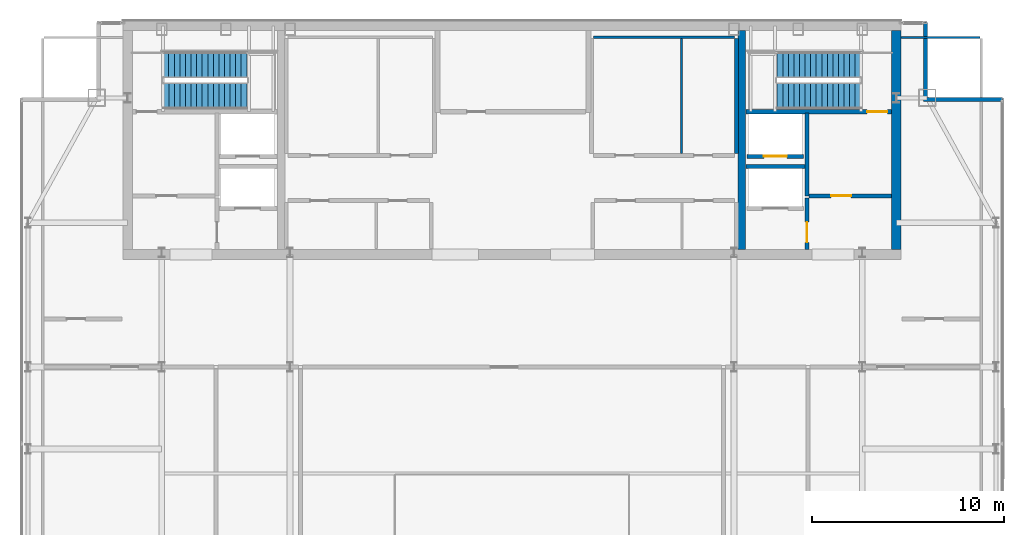
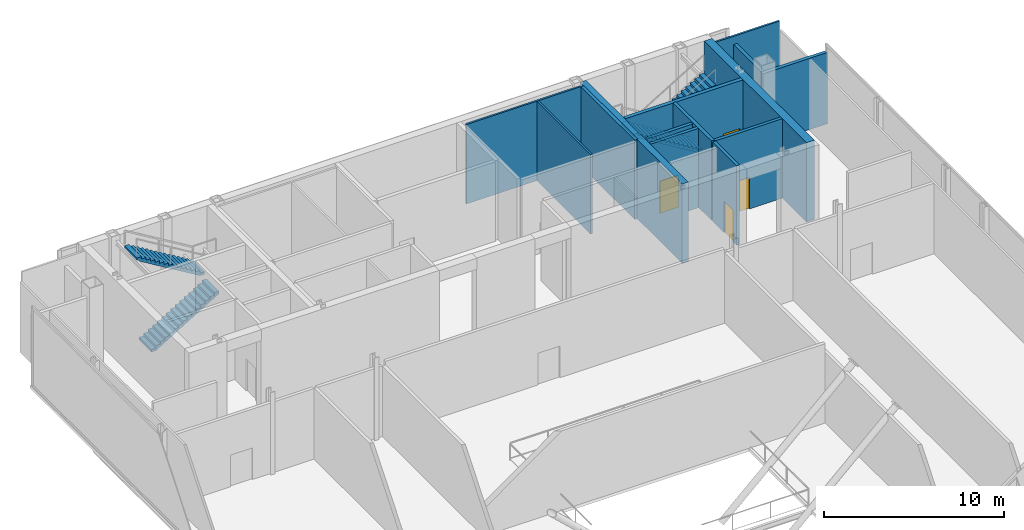
# One storey, part 21 of 23: 14 walls, 4 doors, 4 stair flights, 4 openings, 2 elements without a shape of their own.
"""IFC4 building model written with IfcOpenShell, lengths in metres."""

from ifc_helpers import new_model, si_unit, direction, frame, frame_2d, origin, place, context, subcontext, project, spatial, polyline, rectangle, outline, extrude, material, layer, layer_set, type_object, element, fill, aggregate, save


model = new_model("IFC4")

# Units and contexts
model_context = context("Model", 3, precision=1e-05, world=origin(), true_north=direction((0.0, 1.0)))
body_context = subcontext(model_context, "Body", "Model", "MODEL_VIEW")
ifc_project = project(units=[si_unit("LENGTHUNIT", "METRE"), si_unit("AREAUNIT", "SQUARE_METRE"), si_unit("VOLUMEUNIT", "CUBIC_METRE"), si_unit("PLANEANGLEUNIT", "RADIAN"), si_unit("MASSUNIT", "GRAM", prefix="KILO")], contexts=[model_context])

# Site, building, storey
site_placement = place(None, origin())
site = spatial("IfcSite", under=ifc_project, at=site_placement, CompositionType="ELEMENT")
building_placement = place(site_placement, origin())
building = spatial("IfcBuilding", under=site, at=building_placement, Name="Khoronbel Lancet Exchange", CompositionType="ELEMENT")
storey_placement = place(building_placement, frame((0.0, 0.0, 356.199951171875)))
storey = spatial("IfcBuildingStorey", under=building, at=storey_placement, Name="L92", CompositionType="ELEMENT", Elevation=356.199951171875)

# Walls
ifc_material_1 = material(Name="Concrete C60/75", Category="concrete")
ifc_layer_1 = layer(ifc_material_1, 0.5, Name="Concrete C60/75")
ifc_layer_set_1 = layer_set([ifc_layer_1], Name="Concrete C60/75")
wall_type_1 = type_object("IfcWallType", Name="WL-CW4", PredefinedType="SHEAR", material=ifc_layer_set_1)
wall_1_placement = place(storey_placement, frame((56.449951171875, 53.199951171875, 0.0), z_axis=(0.0, 0.0, 1.0), x_axis=(0.0, -1.0, 0.0)))
element("IfcWall", 1, at=wall_1_placement, inside=storey, type_object=wall_type_1, Name="Level L92 rear core east shear wall", PredefinedType="SHEAR", context=body_context, shape_type="SweptSolid", body=[
    extrude(rectangle(XDim=11.39990234375, YDim=0.5, at=frame_2d((5.699951171875, 0.0))), origin(), (0.0, 0.0, 1.0), 5.400146484375),
])
ifc_material_2 = material(Name="Precast concrete C40/50", Category="concrete")
ifc_layer_2 = layer(ifc_material_2, 0.25, Name="Precast concrete C40/50")
ifc_layer_set_2 = layer_set([ifc_layer_2], Name="Precast concrete C40/50")
wall_type_2 = type_object("IfcWallType", Name="WL-EXT250", PredefinedType="SOLIDWALL", material=ifc_layer_set_2)
wall_2_placement = place(storey_placement, frame((57.9599609375, 53.6298828125, 0.0), z_axis=(0.0, 0.0, 1.0), x_axis=(0.0, -1.0, 0.0)))
element("IfcWall", 2, at=wall_2_placement, inside=storey, type_object=wall_type_2, Name="Level L92 notched-corner limestone pier 07", PredefinedType="SOLIDWALL", context=body_context, shape_type="SweptSolid", body=[
    extrude(rectangle(XDim=3.909912109375, YDim=0.219970703125, at=frame_2d((1.955078125, 0.0))), origin(), (0.0, 0.0, 1.0), 4.840087890625),
])
wall_3_placement = place(storey_placement, frame((57.85009765625, 49.610107421875, 0.0), z_axis=(0.0, 0.0, 1.0), x_axis=(1.0, 0.0, 0.0)))
element("IfcWall", 3, at=wall_3_placement, inside=storey, type_object=wall_type_2, Name="Level L92 notched-corner limestone pier 08", PredefinedType="SOLIDWALL", context=body_context, shape_type="SweptSolid", body=[
    extrude(rectangle(XDim=4.1298828125, YDim=0.219970703125, at=frame_2d((2.06494140625, 0.0))), origin(), (0.0, 0.0, 1.0), 4.840087890625),
])
ifc_material_3 = material(Name="Acoustic Metal-Stud & Mineral-Wool Gypsum Partition 120 mm", Category="gypsum")
ifc_layer_3 = layer(ifc_material_3, 0.1201171875, Name="Acoustic Metal-Stud & Mineral-Wool Gypsum Partition 120 mm")
ifc_layer_set_3 = layer_set([ifc_layer_3], Name="Acoustic Metal-Stud & Mineral-Wool Gypsum Partition 120 mm")
wall_type_3 = type_object("IfcWallType", Name="WL-PRT120", PredefinedType="PARTITIONING", material=ifc_layer_set_3)
wall_4_placement = place(storey_placement, frame((56.699951171875, 52.840087890625, 0.0), z_axis=(0.0, 0.0, 1.0), x_axis=(1.0, 0.0, 0.0)))
element("IfcWall", 4, at=wall_4_placement, inside=storey, type_object=wall_type_3, Name="Level L92 interior partition PW-LIN-NE", PredefinedType="PARTITIONING", context=body_context, shape_type="SweptSolid", body=[
    extrude(rectangle(XDim=4.10498046875, YDim=0.1201171875, at=frame_2d((2.052490234375, 0.0))), origin(), (0.0, 0.0, 1.0), 5.400146484375),
])
ifc_material_4 = material(Name="Fire-Rated Metal-Stud & Mineral-Wool Gypsum Partition 120 mm", Category="gypsum")
ifc_layer_4 = layer(ifc_material_4, 0.1201171875, Name="Fire-Rated Metal-Stud & Mineral-Wool Gypsum Partition 120 mm")
ifc_layer_set_4 = layer_set([ifc_layer_4], Name="Fire-Rated Metal-Stud & Mineral-Wool Gypsum Partition 120 mm")
wall_type_4 = type_object("IfcWallType", Name="WL-PRT120F", PredefinedType="PARTITIONING", material=ifc_layer_set_4)
wall_5_placement = place(storey_placement, frame((40.68505859375, 52.860107421875, 0.0), z_axis=(0.0, 0.0, 1.0), x_axis=(1.0, 0.0, 0.0)))
element("IfcWall", 5, at=wall_5_placement, inside=storey, type_object=wall_type_4, Name="Level L92 interior partition CW-PH-RN", PredefinedType="PARTITIONING", context=body_context, shape_type="SweptSolid", body=[
    extrude(rectangle(XDim=7.349853515625, YDim=0.1201171875, at=frame_2d((3.6748046875, 0.0))), origin(), (0.0, 0.0, 1.0), 5.400146484375),
])
wall_6_placement = place(storey_placement, frame((45.26708984375, 46.804931640625, 0.0), z_axis=(0.0, 0.0, 1.0), x_axis=(0.0, 1.0, 0.0)))
element("IfcWall", 6, at=wall_6_placement, inside=storey, type_object=wall_type_4, Name="Level L92 interior partition CW-PH-RS2", PredefinedType="PARTITIONING", context=body_context, shape_type="SweptSolid", body=[
    extrude(rectangle(XDim=5.989990234375, YDim=0.1201171875, at=frame_2d((2.9951171875, 0.0))), origin(), (0.0, 0.0, 1.0), 5.400146484375),
])

# Wall, opening, door
ifc_material_5 = material(Name="Autoclaved Aerated Concrete Blockwork 200 mm", Category="masonry")
ifc_layer_5 = layer(ifc_material_5, 0.199951171875, Name="Autoclaved Aerated Concrete Blockwork 200 mm")
ifc_layer_set_5 = layer_set([ifc_layer_5], Name="Autoclaved Aerated Concrete Blockwork 200 mm")
wall_type_5 = type_object("IfcWallType", Name="WL-PRT200", PredefinedType="PARTITIONING", material=ifc_layer_set_5)
wall_7_placement = place(storey_placement, frame((51.610107421875, 46.64990234375, 0.0), z_axis=(0.0, 0.0, 1.0), x_axis=(-1.0, 0.0, 0.0)))
wall_7 = element("IfcWall", 7, at=wall_7_placement, inside=storey, type_object=wall_type_5, Name="Level L92 elevator hoistway landing front wall FFLE", PredefinedType="PARTITIONING", context=body_context, shape_type="SweptSolid", body=[
    extrude(rectangle(XDim=2.920166015625, YDim=0.199951171875, at=frame_2d((1.4599609375, 0.0))), origin(), (0.0, 0.0, 1.0), 5.400146484375),
])
opening_1_placement = place(wall_7_placement, frame((0.860107421875, 0.0, 0.0)))
opening_1 = element("IfcOpeningElement", 8, at=opening_1_placement, cuts=wall_7, Name="Opening LD-FFL2", PredefinedType="OPENING", context=body_context, shape_type="SweptSolid", body=[
    extrude(rectangle(XDim=1.199951171875, YDim=2.179931640625, at=frame_2d((0.60009765625, 1.08984375))), frame((0.0, 0.10986328125, 0.0), z_axis=(0.0, -1.0, 0.0), x_axis=(1.0, 0.0, 0.0)), (0.0, 0.0, 1.0), 0.219970703125),
])
ifc_material_6 = material(Name="Fire-Rated Stainless Bi-Parting Firefighting Lift Door", Category="steel")
door_type_1 = type_object("IfcDoorType", Name="DR-LD-FFL", OperationType="NOTDEFINED", PredefinedType="DOOR", material=ifc_material_6)
door_1_placement = place(opening_1_placement, origin())
door_1 = element("IfcDoor", 9, at=door_1_placement, inside=storey, type_object=door_type_1, Name="Elevator landing sliding door LD-FFL2 L92", OperationType="SLIDING_TO_LEFT", OverallHeight=2.179931640625, OverallWidth=1.199951171875, PredefinedType="DOOR", context=body_context, shape_type="SweptSolid", body=[
    extrude(rectangle(XDim=1.199951171875, YDim=2.179931640625, at=frame_2d((0.60009765625, 1.08984375))), frame((0.0, 0.02490234375, 0.0), z_axis=(0.0, -1.0, 0.0), x_axis=(1.0, 0.0, 0.0)), (0.0, 0.0, 1.0), 0.050048828125),
])
fill(opening_1, door_1)

# Wall
wall_8_placement = place(storey_placement, frame((51.800048828125, 44.60009765625, 0.0), z_axis=(0.0, 0.0, 1.0), x_axis=(0.0, 1.0, 0.0)))
element("IfcWall", 10, at=wall_8_placement, inside=storey, type_object=wall_type_5, Name="Level L92 interior partition CW-FFLE-W", PredefinedType="PARTITIONING", context=body_context, shape_type="SweptSolid", body=[
    extrude(rectangle(XDim=4.2998046875, YDim=0.199951171875, at=frame_2d((2.14990234375, 0.0))), origin(), (0.0, 0.0, 1.0), 5.400146484375),
])

# Wall, opening, door
wall_9_placement = place(storey_placement, frame((51.89990234375, 44.60009765625, 0.0), z_axis=(0.0, 0.0, 1.0), x_axis=(1.0, 0.0, 0.0)))
wall_9 = element("IfcWall", 11, at=wall_9_placement, inside=storey, type_object=wall_type_5, Name="Level L92 interior partition CW-FFLE-S", PredefinedType="PARTITIONING", context=body_context, shape_type="SweptSolid", body=[
    extrude(rectangle(XDim=4.300048828125, YDim=0.199951171875, at=frame_2d((2.14990234375, 0.0))), origin(), (0.0, 0.0, 1.0), 5.400146484375),
])
opening_2_placement = place(wall_9_placement, frame((1.14990234375, 0.0, 0.0)))
opening_2 = element("IfcOpeningElement", 12, at=opening_2_placement, cuts=wall_9, Name="Opening FD1", PredefinedType="OPENING", context=body_context, shape_type="SweptSolid", body=[
    extrude(rectangle(XDim=1.050048828125, YDim=2.14990234375, at=frame_2d((0.52490234375, 1.074951171875))), frame((0.0, 0.10986328125, 0.0), z_axis=(0.0, -1.0, 0.0), x_axis=(1.0, 0.0, 0.0)), (0.0, 0.0, 1.0), 0.219970703125),
])
ifc_material_7 = material(Name="Fire-Rated Painted Steel Door Assembly", Category="steel")
door_type_2 = type_object("IfcDoorType", Name="DR-FD1", OperationType="NOTDEFINED", PredefinedType="DOOR", material=ifc_material_7)
door_2_placement = place(opening_2_placement, origin())
door_2 = element("IfcDoor", 13, at=door_2_placement, inside=storey, type_object=door_type_2, Name="East firefighting lobby FD90S door L92-1", OperationType="SINGLE_SWING_LEFT", OverallHeight=2.14990234375, OverallWidth=1.050048828125, PredefinedType="DOOR", context=body_context, shape_type="SweptSolid", body=[
    extrude(rectangle(XDim=1.050048828125, YDim=2.14990234375, at=frame_2d((0.52490234375, 1.074951171875))), frame((0.0, 0.02490234375, 0.0), z_axis=(0.0, -1.0, 0.0), x_axis=(1.0, 0.0, 0.0)), (0.0, 0.0, 1.0), 0.050048828125),
])
fill(opening_2, door_2)

# Wall
wall_10_placement = place(storey_placement, frame((48.6298828125, 46.1201171875, 0.0), z_axis=(0.0, 0.0, 1.0), x_axis=(1.0, 0.0, 0.0)))
element("IfcWall", 14, at=wall_10_placement, inside=storey, type_object=wall_type_5, Name="Level L92 interior partition CW-FFL2-S", PredefinedType="PARTITIONING", context=body_context, shape_type="SweptSolid", body=[
    extrude(rectangle(XDim=3.070068359375, YDim=0.199951171875, at=frame_2d((1.53515625, 0.0))), origin(), (0.0, 0.0, 1.0), 5.400146484375),
])

# Wall, opening, door
wall_11_placement = place(storey_placement, frame((51.800048828125, 41.800048828125, 0.0), z_axis=(0.0, 0.0, 1.0), x_axis=(0.0, 1.0, 0.0)))
wall_11 = element("IfcWall", 15, at=wall_11_placement, inside=storey, type_object=wall_type_5, Name="Level L92 interior partition CW-SVLE-E", PredefinedType="PARTITIONING", context=body_context, shape_type="SweptSolid", body=[
    extrude(rectangle(XDim=2.695068359375, YDim=0.199951171875, at=frame_2d((1.34765625, 0.0))), origin(), (0.0, 0.0, 1.0), 5.400146484375),
])
opening_3_placement = place(wall_11_placement, frame((0.3798828125, 0.0, 0.0)))
opening_3 = element("IfcOpeningElement", 16, at=opening_3_placement, cuts=wall_11, Name="Opening FD1", PredefinedType="OPENING", context=body_context, shape_type="SweptSolid", body=[
    extrude(rectangle(XDim=1.050048828125, YDim=2.14990234375, at=frame_2d((0.52490234375, 1.074951171875))), frame((0.0, 0.10986328125, 0.0), z_axis=(0.0, -1.0, 0.0), x_axis=(1.0, 0.0, 0.0)), (0.0, 0.0, 1.0), 0.219970703125),
])
door_3_placement = place(opening_3_placement, origin())
door_3 = element("IfcDoor", 17, at=door_3_placement, inside=storey, type_object=door_type_2, Name="East service lift lobby door L92-1", OperationType="SINGLE_SWING_RIGHT", OverallHeight=2.14990234375, OverallWidth=1.050048828125, PredefinedType="DOOR", context=body_context, shape_type="SweptSolid", body=[
    extrude(rectangle(XDim=1.050048828125, YDim=2.14990234375, at=frame_2d((0.52490234375, 1.074951171875))), frame((0.0, 0.02490234375, 0.0), z_axis=(0.0, -1.0, 0.0), x_axis=(1.0, 0.0, 0.0)), (0.0, 0.0, 1.0), 0.050048828125),
])
fill(opening_3, door_3)

# Walls
wall_12_placement = place(storey_placement, frame((48.139892578125, 46.804931640625, 0.0), z_axis=(0.0, 0.0, 1.0), x_axis=(0.0, 1.0, 0.0)))
element("IfcWall", 18, at=wall_12_placement, inside=storey, type_object=wall_type_5, Name="Level L92 interior partition CW-PH-RE", PredefinedType="PARTITIONING", context=body_context, shape_type="SweptSolid", body=[
    extrude(rectangle(XDim=5.989990234375, YDim=0.199951171875, at=frame_2d((2.9951171875, 0.0))), origin(), (0.0, 0.0, 1.0), 5.400146484375),
])
ifc_layer_6 = layer(ifc_material_1, 0.39990234375, Name="Concrete C60/75")
ifc_layer_set_6 = layer_set([ifc_layer_6], Name="Concrete C60/75")
wall_type_6 = type_object("IfcWallType", Name="WL-SW2", PredefinedType="SHEAR", material=ifc_layer_set_6)
wall_13_placement = place(storey_placement, frame((48.39990234375, 41.800048828125, 0.0), z_axis=(0.0, 0.0, 1.0), x_axis=(0.0, 1.0, 0.0)))
element("IfcWall", 19, at=wall_13_placement, inside=storey, type_object=wall_type_6, Name="Level L92 rear core internal spine shear wall IE", PredefinedType="SHEAR", context=body_context, shape_type="SweptSolid", body=[
    extrude(rectangle(XDim=11.39990234375, YDim=0.39990234375, at=frame_2d((5.699951171875, 0.0))), origin(), (0.0, 0.0, 1.0), 5.400146484375),
])

# Wall, opening, door
ifc_layer_7 = layer(ifc_material_1, 0.260009765625, Name="Concrete C60/75")
ifc_layer_set_7 = layer_set([ifc_layer_7], Name="Concrete C60/75")
wall_type_7 = type_object("IfcWallType", Name="WL-SW3", PredefinedType="SHEAR", material=ifc_layer_set_7)
wall_14_placement = place(storey_placement, frame((48.6298828125, 48.97998046875, 0.0), z_axis=(0.0, 0.0, 1.0), x_axis=(1.0, 0.0, 0.0)))
wall_14 = element("IfcWall", 20, at=wall_14_placement, inside=storey, type_object=wall_type_7, Name="Level L92 east stairwell structural south wall", PredefinedType="SHEAR", context=body_context, shape_type="SweptSolid", body=[
    extrude(rectangle(XDim=7.570068359375, YDim=0.239990234375, at=frame_2d((3.78515625, 0.0))), origin(), (0.0, 0.0, 1.0), 5.400146484375),
])
opening_4_placement = place(wall_14_placement, frame((6.300048828125, 0.0, 0.0)))
opening_4 = element("IfcOpeningElement", 21, at=opening_4_placement, cuts=wall_14, Name="Opening SD1", PredefinedType="OPENING", context=body_context, shape_type="SweptSolid", body=[
    extrude(rectangle(XDim=1.050048828125, YDim=2.14990234375, at=frame_2d((0.52490234375, 1.074951171875))), frame((0.0, 0.1298828125, 0.0), z_axis=(0.0, -1.0, 0.0), x_axis=(1.0, 0.0, 0.0)), (0.0, 0.0, 1.0), 0.260009765625),
])
ifc_material_8 = material(Name="Fire-Rated Steel Stairwell Door Assembly", Category="steel")
door_type_3 = type_object("IfcDoorType", Name="DR-SD1", OperationType="NOTDEFINED", PredefinedType="DOOR", material=ifc_material_8)
door_4_placement = place(opening_4_placement, origin())
door_4 = element("IfcDoor", 22, at=door_4_placement, inside=storey, type_object=door_type_3, Name="Protected exit stair ST2 door L92", OperationType="SINGLE_SWING_RIGHT", OverallHeight=2.14990234375, OverallWidth=1.050048828125, PredefinedType="DOOR", context=body_context, shape_type="SweptSolid", body=[
    extrude(rectangle(XDim=1.050048828125, YDim=2.14990234375, at=frame_2d((0.52490234375, 1.074951171875))), frame((0.0, 0.02490234375, 0.0), z_axis=(0.0, -1.0, 0.0), x_axis=(1.0, 0.0, 0.0)), (0.0, 0.0, 1.0), 0.050048828125),
])
fill(opening_4, door_4)

# Stair, stair flights
ifc_material_9 = material(Name="Concrete C40/50", Category="concrete")
stair_type = type_object("IfcStairType", Name="STR-CRN135", PredefinedType="HALF_TURN_STAIR", material=ifc_material_9)
stair_1_placement = place(storey_placement, origin())
stair_1 = element("IfcStair", 23, at=stair_1_placement, inside=storey, type_object=stair_type, Name="L92 Protected Exit Stair ST1", PredefinedType="HALF_TURN_STAIR")
stair_flight_type = type_object("IfcStairFlightType", Name="STF-135", PredefinedType="STRAIGHT", material=ifc_material_9)
stair_flight_1_placement = place(storey_placement, frame((18.300048828125, 49.81005859375, 0.0), z_axis=(0.0, 0.0, 1.0), x_axis=(1.0, 0.0, 0.0)))
stair_flight_1 = element("IfcStairFlight", 24, at=stair_flight_1_placement, type_object=stair_flight_type, Name="ST1 flight 1", NumberOfRisers=16, NumberOfTreads=15, PredefinedType="STRAIGHT", RiserHeight=0.175, TreadLength=0.29, context=body_context, shape_type="SweptSolid", body=[
    extrude(outline(polyline([(0.0, 0.0), (0.0, 0.175048828125), (0.2900390625, 0.175048828125), (0.2900390625, 0.35009765625), (0.580078125, 0.35009765625), (0.580078125, 0.52490234375), (0.8701171875, 0.52490234375), (0.8701171875, 0.699951171875), (1.159912109375, 0.699951171875), (1.159912109375, 0.875), (1.449951171875, 0.875), (1.449951171875, 1.050048828125), (1.739990234375, 1.050048828125), (1.739990234375, 1.22509765625), (2.030029296875, 1.22509765625), (2.030029296875, 1.39990234375), (2.320068359375, 1.39990234375), (2.320068359375, 1.574951171875), (2.610107421875, 1.574951171875), (2.610107421875, 1.75), (2.89990234375, 1.75), (2.89990234375, 1.925048828125), (3.18994140625, 1.925048828125), (3.18994140625, 2.10009765625), (3.47998046875, 2.10009765625), (3.47998046875, 2.27490234375), (3.77001953125, 2.27490234375), (3.77001953125, 2.449951171875), (4.06005859375, 2.449951171875), (4.06005859375, 2.625), (4.35009765625, 2.625), (4.35009765625, 2.800048828125), (4.35009765625, 2.449951171875), (0.2900390625, 0.0), (0.0, 0.0)])), frame((0.0, 0.68994140625, 0.0), z_axis=(0.0, -1.0, 0.0), x_axis=(1.0, 0.0, 0.0)), (0.0, 0.0, 1.0), 1.3798828125),
])
stair_flight_2_placement = place(storey_placement, frame((22.64990234375, 51.409912109375, 2.800048828125), z_axis=(0.0, 0.0, 1.0), x_axis=(-1.0, 0.0, 0.0)))
stair_flight_2 = element("IfcStairFlight", 25, at=stair_flight_2_placement, type_object=stair_flight_type, Name="ST1 flight 2", NumberOfRisers=16, NumberOfTreads=15, PredefinedType="STRAIGHT", RiserHeight=0.175, TreadLength=0.29, context=body_context, shape_type="SweptSolid", body=[
    extrude(outline(polyline([(0.0, 0.0), (0.0, 0.175048828125), (0.2900390625, 0.175048828125), (0.2900390625, 0.35009765625), (0.580078125, 0.35009765625), (0.580078125, 0.52490234375), (0.8701171875, 0.52490234375), (0.8701171875, 0.699951171875), (1.159912109375, 0.699951171875), (1.159912109375, 0.875), (1.449951171875, 0.875), (1.449951171875, 1.050048828125), (1.739990234375, 1.050048828125), (1.739990234375, 1.22509765625), (2.030029296875, 1.22509765625), (2.030029296875, 1.39990234375), (2.320068359375, 1.39990234375), (2.320068359375, 1.574951171875), (2.610107421875, 1.574951171875), (2.610107421875, 1.75), (2.89990234375, 1.75), (2.89990234375, 1.925048828125), (3.18994140625, 1.925048828125), (3.18994140625, 2.10009765625), (3.47998046875, 2.10009765625), (3.47998046875, 2.27490234375), (3.77001953125, 2.27490234375), (3.77001953125, 2.449951171875), (4.06005859375, 2.449951171875), (4.06005859375, 2.625), (4.35009765625, 2.625), (4.35009765625, 2.800048828125), (4.35009765625, 2.449951171875), (0.2900390625, 0.0), (0.0, 0.0)])), frame((0.0, 0.68994140625, 0.0), z_axis=(0.0, -1.0, 0.0), x_axis=(1.0, 0.0, 0.0)), (0.0, 0.0, 1.0), 1.3798828125),
])
aggregate(stair_1, [stair_flight_1, stair_flight_2])

stair_2_placement = place(storey_placement, origin())
stair_2 = element("IfcStair", 26, at=stair_2_placement, inside=storey, type_object=stair_type, Name="L92 Protected Exit Stair ST2", PredefinedType="HALF_TURN_STAIR")
stair_flight_3_placement = place(storey_placement, frame((54.60009765625, 51.409912109375, 0.0), z_axis=(0.0, 0.0, 1.0), x_axis=(-1.0, 0.0, 0.0)))
stair_flight_3 = element("IfcStairFlight", 27, at=stair_flight_3_placement, type_object=stair_flight_type, Name="ST2 flight 1", NumberOfRisers=16, NumberOfTreads=15, PredefinedType="STRAIGHT", RiserHeight=0.175, TreadLength=0.29, context=body_context, shape_type="SweptSolid", body=[
    extrude(outline(polyline([(0.0, 0.0), (0.0, 0.175048828125), (0.2900390625, 0.175048828125), (0.2900390625, 0.35009765625), (0.580078125, 0.35009765625), (0.580078125, 0.52490234375), (0.8701171875, 0.52490234375), (0.8701171875, 0.699951171875), (1.159912109375, 0.699951171875), (1.159912109375, 0.875), (1.449951171875, 0.875), (1.449951171875, 1.050048828125), (1.739990234375, 1.050048828125), (1.739990234375, 1.22509765625), (2.030029296875, 1.22509765625), (2.030029296875, 1.39990234375), (2.320068359375, 1.39990234375), (2.320068359375, 1.574951171875), (2.610107421875, 1.574951171875), (2.610107421875, 1.75), (2.89990234375, 1.75), (2.89990234375, 1.925048828125), (3.18994140625, 1.925048828125), (3.18994140625, 2.10009765625), (3.47998046875, 2.10009765625), (3.47998046875, 2.27490234375), (3.77001953125, 2.27490234375), (3.77001953125, 2.449951171875), (4.06005859375, 2.449951171875), (4.06005859375, 2.625), (4.35009765625, 2.625), (4.35009765625, 2.800048828125), (4.35009765625, 2.449951171875), (0.2900390625, 0.0), (0.0, 0.0)])), frame((0.0, 0.68994140625, 0.0), z_axis=(0.0, -1.0, 0.0), x_axis=(1.0, 0.0, 0.0)), (0.0, 0.0, 1.0), 1.3798828125),
])
stair_flight_4_placement = place(storey_placement, frame((50.25, 49.81005859375, 2.800048828125), z_axis=(0.0, 0.0, 1.0), x_axis=(1.0, 0.0, 0.0)))
stair_flight_4 = element("IfcStairFlight", 28, at=stair_flight_4_placement, type_object=stair_flight_type, Name="ST2 flight 2", NumberOfRisers=16, NumberOfTreads=15, PredefinedType="STRAIGHT", RiserHeight=0.175, TreadLength=0.29, context=body_context, shape_type="SweptSolid", body=[
    extrude(outline(polyline([(0.0, 0.0), (0.0, 0.175048828125), (0.2900390625, 0.175048828125), (0.2900390625, 0.35009765625), (0.580078125, 0.35009765625), (0.580078125, 0.52490234375), (0.8701171875, 0.52490234375), (0.8701171875, 0.699951171875), (1.159912109375, 0.699951171875), (1.159912109375, 0.875), (1.449951171875, 0.875), (1.449951171875, 1.050048828125), (1.739990234375, 1.050048828125), (1.739990234375, 1.22509765625), (2.030029296875, 1.22509765625), (2.030029296875, 1.39990234375), (2.320068359375, 1.39990234375), (2.320068359375, 1.574951171875), (2.610107421875, 1.574951171875), (2.610107421875, 1.75), (2.89990234375, 1.75), (2.89990234375, 1.925048828125), (3.18994140625, 1.925048828125), (3.18994140625, 2.10009765625), (3.47998046875, 2.10009765625), (3.47998046875, 2.27490234375), (3.77001953125, 2.27490234375), (3.77001953125, 2.449951171875), (4.06005859375, 2.449951171875), (4.06005859375, 2.625), (4.35009765625, 2.625), (4.35009765625, 2.800048828125), (4.35009765625, 2.449951171875), (0.2900390625, 0.0), (0.0, 0.0)])), frame((0.0, 0.68994140625, 0.0), z_axis=(0.0, -1.0, 0.0), x_axis=(1.0, 0.0, 0.0)), (0.0, 0.0, 1.0), 1.3798828125),
])
aggregate(stair_2, [stair_flight_3, stair_flight_4])

save(model, "model.ifc")
